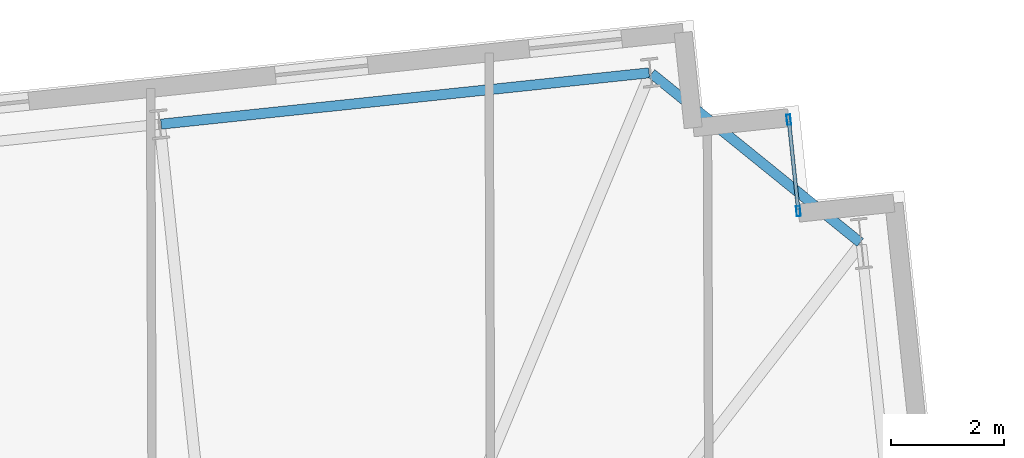
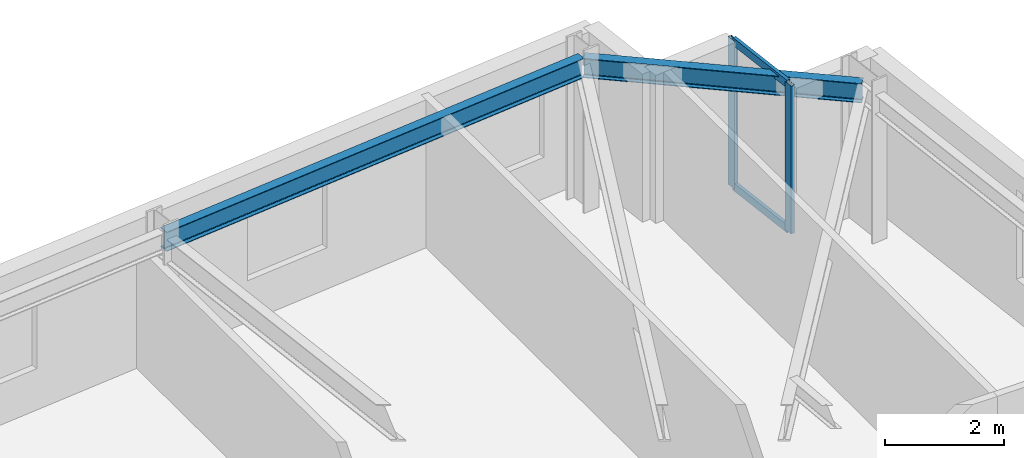
# One storey, part 10 of 18: 4 members, 2 beams, 1 element without a shape of its own.
"""IFC4 building model written with IfcOpenShell, lengths in metres."""

from ifc_helpers import new_model, si_unit, direction, frame, origin, origin_2d, place, context, subcontext, project, spatial, hollow_rectangle, i_section, extrude, material, layer, layer_set, material_profile, profile_set, type_object, element, aggregate, save


model = new_model("IFC4")

# Units and contexts
model_context = context("Model", 3, precision=1e-05, world=origin(), true_north=direction((0.0, 1.0)))
body_context = subcontext(model_context, "Body", "Model", "MODEL_VIEW")
ifc_project = project(units=[si_unit("LENGTHUNIT", "METRE"), si_unit("AREAUNIT", "SQUARE_METRE"), si_unit("VOLUMEUNIT", "CUBIC_METRE"), si_unit("PLANEANGLEUNIT", "RADIAN"), si_unit("MASSUNIT", "GRAM", prefix="KILO")], contexts=[model_context])

# Site, building, storey
site_placement = place(None, origin())
site = spatial("IfcSite", under=ifc_project, at=site_placement, CompositionType="ELEMENT")
building_placement = place(site_placement, origin())
building = spatial("IfcBuilding", under=site, at=building_placement, Name="Qobustan Lattice House", CompositionType="ELEMENT")
storey_placement = place(building_placement, frame((0.0, 0.0, 92.39990234375)))
storey = spatial("IfcBuildingStorey", under=building, at=storey_placement, Name="L25", CompositionType="ELEMENT", Elevation=92.39990234375)

# Beams
ifc_material_1 = material(Name="Steel S355", Category="steel")
ifc_material_profile_1 = material_profile(ifc_material_1, i_section(OverallWidth=0.179931640625, OverallDepth=0.39990234375, WebThickness=0.008544921875, FlangeThickness=0.013427734375, FilletRadius=0.02099609375, at=origin_2d()), Name="IPE400")
ifc_profile_set_1 = profile_set([ifc_material_profile_1], Name="Steel S355")
beam_type = type_object("IfcBeamType", Name="BM-SPD-IPE400", PredefinedType="SPANDREL", material=ifc_profile_set_1)
beam_1_placement = place(storey_placement, frame((29.536865234375, 19.484619140625, 2.84521484375), z_axis=(-0.777140911545, 0.629326627121, 0.0), x_axis=(-0.629326627121, -0.777140911545, 0.0)))
element("IfcBeam", 1, at=beam_1_placement, inside=storey, type_object=beam_type, Name="L25 perimeter spandrel E4-N1", PredefinedType="SPANDREL", context=body_context, shape_type="SweptSolid", body=[
    extrude(i_section(OverallWidth=0.179931640625, OverallDepth=0.39990234375, WebThickness=0.008544921875, FlangeThickness=0.013427734375, FilletRadius=0.02099609375, at=origin_2d()), origin(), (0.0, 0.0, 1.0), 4.758544921875),
])
beam_2_placement = place(storey_placement, frame((25.794677734375, 22.492431640625, 2.84521484375), z_axis=(-0.994521586424, -0.104531402636, 0.0), x_axis=(0.104531402636, -0.994521586424, 0.0)))
element("IfcBeam", 2, at=beam_2_placement, inside=storey, type_object=beam_type, Name="L25 perimeter spandrel N1-N2", PredefinedType="SPANDREL", context=body_context, shape_type="SweptSolid", body=[
    extrude(i_section(OverallWidth=0.179931640625, OverallDepth=0.39990234375, WebThickness=0.008544921875, FlangeThickness=0.013427734375, FilletRadius=0.02099609375, at=origin_2d()), origin(), (0.0, 0.0, 1.0), 8.699951171875),
])

# Curtain wall, members
ifc_material_2 = material(Name="Anodised aluminium and low-E glazing", Category="aluminium")
ifc_layer = layer(ifc_material_2, 0.219970703125)
ifc_layer_set = layer_set([ifc_layer], Name="Anodised aluminium and low-E glazing")
curtain_wall_type = type_object("IfcCurtainWallType", Name="CW-FAC-01", PredefinedType="USERDEFINED", material=ifc_layer_set)
curtain_wall_placement = place(storey_placement, origin())
curtain_wall = element("IfcCurtainWall", 3, at=curtain_wall_placement, inside=storey, type_object=curtain_wall_type, Name="L25 serrated corner faceted glazing 13", ObjectType="CURTAIN WALL", PredefinedType="USERDEFINED")
ifc_material_3 = material(Name="Anodised aluminium EN AW-6063 T6", Category="aluminium")
ifc_material_profile_2 = material_profile(ifc_material_3, hollow_rectangle(XDim=0.070068359375, YDim=0.179931640625, WallThickness=0.00439453125, at=origin_2d()), Name="CWM-180x70")
ifc_profile_set_2 = profile_set([ifc_material_profile_2], Name="Anodised aluminium EN AW-6063 T6")
member_type_1 = type_object("IfcMemberType", Name="CWM-STD-180", PredefinedType="MULLION", material=ifc_profile_set_2)
member_1_placement = place(storey_placement, frame((28.27001953125, 21.66162109375, 0.0), z_axis=(0.0, 0.0, 1.0), x_axis=(0.994521878892, 0.104528620025, 0.0)))
member_1 = element("IfcMember", 4, at=member_1_placement, type_object=member_type_1, Name="CW-F1 mullion 1", PredefinedType="MULLION", context=body_context, shape_type="SweptSolid", body=[
    extrude(hollow_rectangle(XDim=0.070068359375, YDim=0.179931640625, WallThickness=0.00439453125, at=origin_2d()), origin(), (0.0, 0.0, 1.0), 3.045166015625),
])
member_2_placement = place(storey_placement, frame((28.4404296875, 20.04052734375, 0.0), z_axis=(0.0, 0.0, 1.0), x_axis=(0.994521878892, 0.104528620025, 0.0)))
member_2 = element("IfcMember", 5, at=member_2_placement, type_object=member_type_1, Name="CW-F1 mullion 2", PredefinedType="MULLION", context=body_context, shape_type="SweptSolid", body=[
    extrude(hollow_rectangle(XDim=0.070068359375, YDim=0.179931640625, WallThickness=0.00439453125, at=origin_2d()), origin(), (0.0, 0.0, 1.0), 3.045166015625),
])
ifc_material_4 = material(Name="Anodised aluminium EN AW-6063 T6", Category="aluminium")
ifc_material_profile_3 = material_profile(ifc_material_4, hollow_rectangle(XDim=0.06494140625, YDim=0.159912109375, WallThickness=0.00390625, at=origin_2d()), Name="CWT-160x65")
ifc_profile_set_3 = profile_set([ifc_material_profile_3], Name="Anodised aluminium EN AW-6063 T6")
member_type_2 = type_object("IfcMemberType", Name="CWT-HOR-160", PredefinedType="USERDEFINED", material=ifc_profile_set_3)
member_3_placement = place(storey_placement, frame((28.273681640625, 21.626708984375, 0.03271484375), z_axis=(0.104538150424, -0.994520877159, 0.0), x_axis=(0.994520877159, 0.104538150424, 0.0)))
member_3 = element("IfcMember", 6, at=member_3_placement, type_object=member_type_2, Name="CW-F1 transom 1.1", ObjectType="TRANSOM", PredefinedType="USERDEFINED", context=body_context, shape_type="SweptSolid", body=[
    extrude(hollow_rectangle(XDim=0.06494140625, YDim=0.159912109375, WallThickness=0.00390625, at=origin_2d()), origin(), (0.0, 0.0, 1.0), 1.56005859375),
])
member_4_placement = place(storey_placement, frame((28.273681640625, 21.626708984375, 3.0126953125), z_axis=(0.104538150424, -0.994520877159, 0.0), x_axis=(0.994520877159, 0.104538150424, 0.0)))
member_4 = element("IfcMember", 7, at=member_4_placement, type_object=member_type_2, Name="CW-F1 transom 1.2", ObjectType="TRANSOM", PredefinedType="USERDEFINED", context=body_context, shape_type="SweptSolid", body=[
    extrude(hollow_rectangle(XDim=0.06494140625, YDim=0.159912109375, WallThickness=0.00390625, at=origin_2d()), origin(), (0.0, 0.0, 1.0), 1.56005859375),
])
aggregate(curtain_wall, [member_1, member_2, member_3, member_4])

save(model, "model.ifc")
